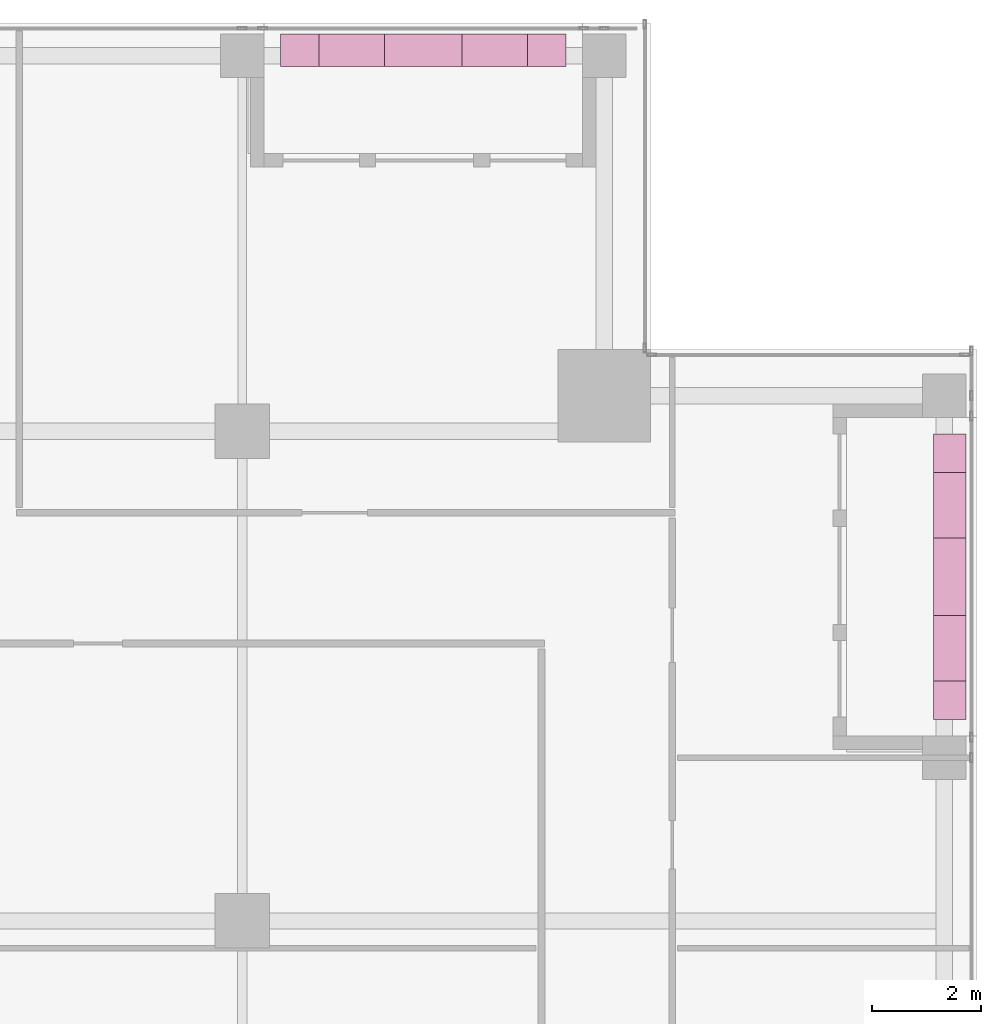
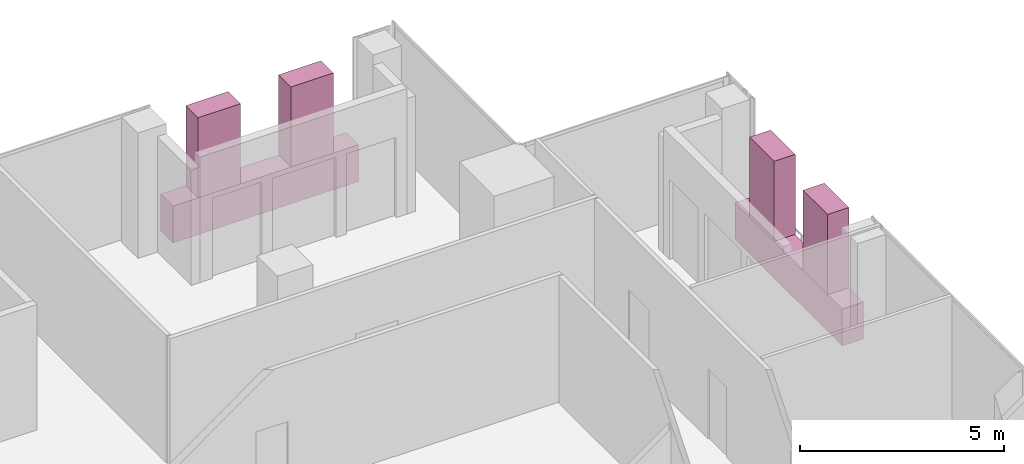
# One storey, part 29 of 29: 6 furnishings.
"""IFC4 building model written with IfcOpenShell, lengths in metres."""

from ifc_helpers import new_model, si_unit, direction, frame, origin, origin_2d, place, context, subcontext, project, spatial, rectangle, extrude, source, transform, mapped, material, type_object, element, save


model = new_model("IFC4")

# Units and contexts
model_context = context("Model", 3, precision=1e-05, world=origin(), true_north=direction((0.0, 1.0)))
body_context = subcontext(model_context, "Body", "Model", "MODEL_VIEW")
ifc_project = project(units=[si_unit("LENGTHUNIT", "METRE"), si_unit("AREAUNIT", "SQUARE_METRE"), si_unit("VOLUMEUNIT", "CUBIC_METRE"), si_unit("PLANEANGLEUNIT", "RADIAN"), si_unit("MASSUNIT", "GRAM", prefix="KILO")], contexts=[model_context])

# Site, building, storey
site_placement = place(None, origin())
site = spatial("IfcSite", under=ifc_project, at=site_placement, CompositionType="ELEMENT")
building_placement = place(site_placement, origin())
building = spatial("IfcBuilding", under=site, at=building_placement, Name="Khomas Fold Tower", CompositionType="ELEMENT")
storey_placement = place(building_placement, frame((0.0, 0.0, 310.199951171875)))
storey = spatial("IfcBuildingStorey", under=building, at=storey_placement, Name="L70", CompositionType="ELEMENT", Elevation=310.199951171875)

# Furnishings
ifc_material_1 = material(Name="Planting")
furnishing_element_type_1 = type_object("IfcFurnishingElementType", Name="BL-Tree Shepherd's tree", material=ifc_material_1)
shared_shape_1 = source(origin(), body_context, "Body", "SweptSolid", [
    extrude(rectangle(XDim=1.199951171875, YDim=0.60009765625, at=origin_2d()), origin(), (0.0, 0.0, 1.0), 2.39501953125),
])
furnishing_1_placement = place(storey_placement, frame((47.5, 36.512451171875, 1.054931640625), z_axis=(0.0, 0.0, 1.0), x_axis=(0.0, 1.0, 0.0)))
element("IfcFurnishingElement", 1, at=furnishing_1_placement, inside=storey, type_object=furnishing_element_type_1, Name="PLANTER (TREE) Shepherd's tree BAL-L70-E4-1", context=body_context, shape_type="MappedRepresentation", body=[
    mapped(shared_shape_1, transform((0.0, 0.0, 0.0))),
])
ifc_material_2 = material(Name="Planting")
furnishing_element_type_2 = type_object("IfcFurnishingElementType", Name="BL-Tree Karee", material=ifc_material_2)
furnishing_2_placement = place(storey_placement, frame((47.5, 39.137451171875, 1.054931640625), z_axis=(0.0, 0.0, 1.0), x_axis=(0.0, 1.0, 0.0)))
element("IfcFurnishingElement", 2, at=furnishing_2_placement, inside=storey, type_object=furnishing_element_type_2, Name="PLANTER (TREE) Karee BAL-L70-E4-2", context=body_context, shape_type="MappedRepresentation", body=[
    mapped(shared_shape_1, transform((0.0, 0.0, 0.0))),
])
furnishing_3_placement = place(storey_placement, frame((36.512451171875, 47.5, 1.054931640625), z_axis=(0.0, 0.0, 1.0), x_axis=(1.0, 0.0, 0.0)))
element("IfcFurnishingElement", 3, at=furnishing_3_placement, inside=storey, type_object=furnishing_element_type_1, Name="PLANTER (TREE) Shepherd's tree BAL-L70-N4-1", context=body_context, shape_type="MappedRepresentation", body=[
    mapped(shared_shape_1, transform((0.0, 0.0, 0.0))),
])
furnishing_4_placement = place(storey_placement, frame((39.137451171875, 47.5, 1.054931640625), z_axis=(0.0, 0.0, 1.0), x_axis=(1.0, 0.0, 0.0)))
element("IfcFurnishingElement", 4, at=furnishing_4_placement, inside=storey, type_object=furnishing_element_type_2, Name="PLANTER (TREE) Karee BAL-L70-N4-2", context=body_context, shape_type="MappedRepresentation", body=[
    mapped(shared_shape_1, transform((0.0, 0.0, 0.0))),
])
ifc_material_3 = material(Name="Precast concrete C40/50", Category="concrete")
furnishing_element_type_3 = type_object("IfcFurnishingElementType", Name="BL-Structural planter box", material=ifc_material_3)
shared_shape_2 = source(origin(), body_context, "Body", "SweptSolid", [
    extrude(rectangle(XDim=5.25, YDim=0.60009765625, at=origin_2d()), origin(), (0.0, 0.0, 1.0), 1.10009765625),
])
for number, where, z_axis, x_axis, name in (
    (5, (47.5, 37.824951171875, -0.044921875), (0.0, 0.0, 1.0), (0.0, 1.0, 0.0), "PLANTER BAL-L70-E4"),
    (6, (37.824951171875, 47.5, -0.044921875), (0.0, 0.0, 1.0), (1.0, 0.0, 0.0), "PLANTER BAL-L70-N4"),
):
    element("IfcFurnishingElement", number, at=place(storey_placement, frame(where, z_axis=z_axis, x_axis=x_axis)), inside=storey, type_object=furnishing_element_type_3, Name=name, context=body_context, shape_type="MappedRepresentation", body=[
        mapped(shared_shape_2, transform((0.0, 0.0, 0.0))),
    ])

save(model, "model.ifc")
